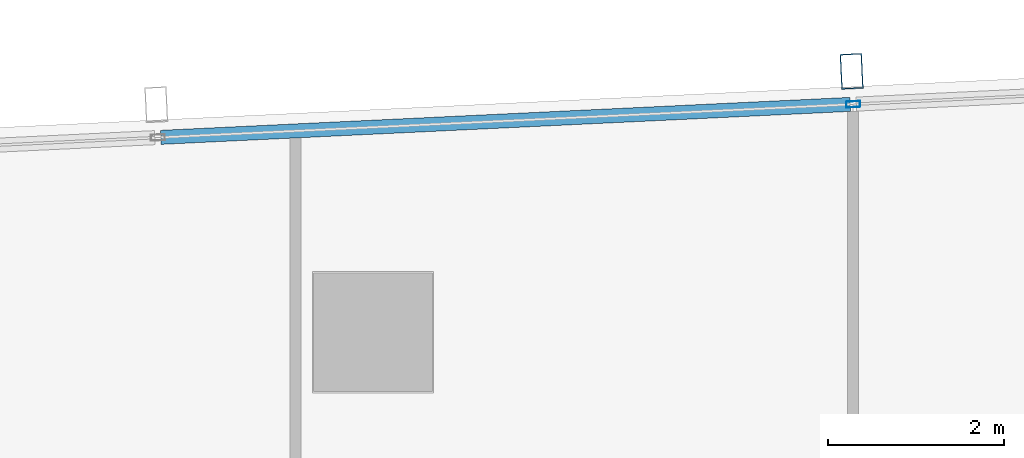
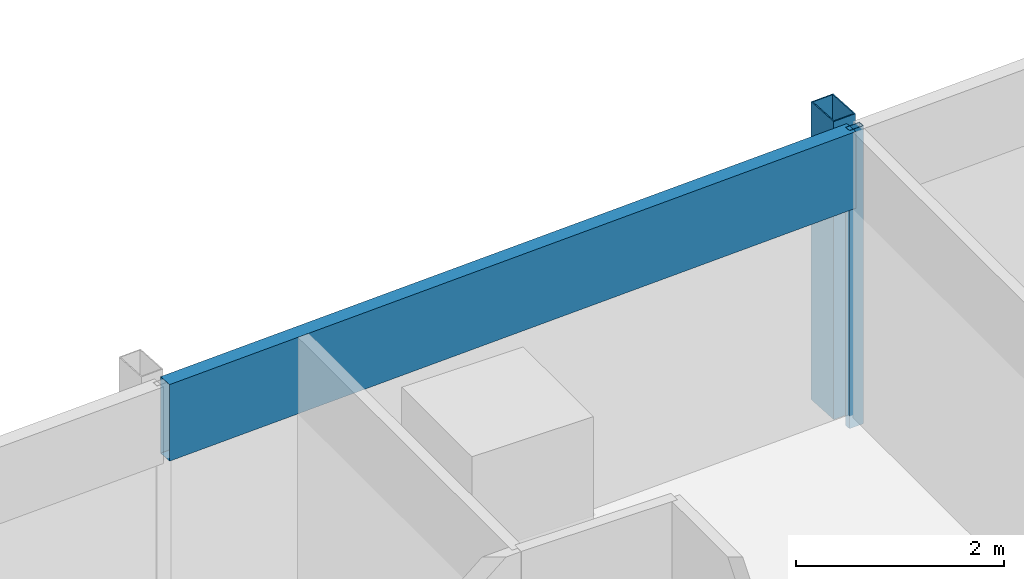
# One storey, part 19 of 38: 3 members, 1 element without a shape of its own.
"""IFC4 building model written with IfcOpenShell, lengths in metres."""

from ifc_helpers import new_model, si_unit, direction, frame, origin, origin_2d, place, context, subcontext, project, spatial, hollow_rectangle, extrude, material, material_profile, profile_set, type_object, element, aggregate, save


model = new_model("IFC4")

# Units and contexts
model_context = context("Model", 3, precision=1e-05, world=origin(), true_north=direction((0.0, 1.0)))
body_context = subcontext(model_context, "Body", "Model", "MODEL_VIEW")
ifc_project = project(units=[si_unit("LENGTHUNIT", "METRE"), si_unit("AREAUNIT", "SQUARE_METRE"), si_unit("VOLUMEUNIT", "CUBIC_METRE"), si_unit("PLANEANGLEUNIT", "RADIAN"), si_unit("MASSUNIT", "GRAM", prefix="KILO")], contexts=[model_context])

# Site, building, storey
site_placement = place(None, origin())
site = spatial("IfcSite", under=ifc_project, at=site_placement, CompositionType="ELEMENT")
building_placement = place(site_placement, origin())
building = spatial("IfcBuilding", under=site, at=building_placement, Name="Rekha Terrace Tower", CompositionType="ELEMENT")
storey_placement = place(building_placement, frame((0.0, 0.0, 198.949951171875)))
storey = spatial("IfcBuildingStorey", under=building, at=storey_placement, Name="L50", CompositionType="ELEMENT", Elevation=198.949951171875)

# Curtain wall, members
ifc_material_1 = material(Name="Aluminium framing", Category="aluminium")
curtain_wall_type = type_object("IfcCurtainWallType", Name="CW3 north unitised glazing", PredefinedType="USERDEFINED", material=ifc_material_1)
curtain_wall_placement = place(storey_placement, origin())
curtain_wall = element("IfcCurtainWall", 1, at=curtain_wall_placement, inside=storey, type_object=curtain_wall_type, Name="CW3 unitised curtain wall", ObjectType="UNITISED CURTAIN WALL", PredefinedType="USERDEFINED")
ifc_material_2 = material(Name="Steel S355 with fluorocarbon finish", Category="steel")
ifc_material_profile_1 = material_profile(ifc_material_2, hollow_rectangle(XDim=0.25, YDim=0.39990234375, WallThickness=0.012451171875, at=origin_2d()), Name="RHS400x250x12.5")
ifc_profile_set_1 = profile_set([ifc_material_profile_1], Name="Steel S355 with fluorocarbon finish")
member_type_1 = type_object("IfcMemberType", Name="BL1 facade blade RHS 400 x 250", PredefinedType="USERDEFINED", material=ifc_profile_set_1)
member_1_placement = place(storey_placement, frame((30.643310546875, 61.767578125, 0.0), z_axis=(0.0, 0.0, 1.0), x_axis=(-0.998858913274, -0.04775846913, 0.0)))
member_1 = element("IfcMember", 2, at=member_1_placement, type_object=member_type_1, Name="Facade blade", ObjectType="FACADE BLADE", PredefinedType="USERDEFINED", context=body_context, shape_type="SweptSolid", body=[
    extrude(hollow_rectangle(XDim=0.25, YDim=0.39990234375, WallThickness=0.012451171875, at=origin_2d()), origin(), (0.0, 0.0, 1.0), 3.5),
])
ifc_material_3 = material(Name="Aluminium mullion section", Category="aluminium")
ifc_material_profile_2 = material_profile(ifc_material_3, hollow_rectangle(XDim=0.070068359375, YDim=0.159912109375, WallThickness=0.00390625, at=origin_2d()), Name="AL RHS 70x160")
ifc_profile_set_2 = profile_set([ifc_material_profile_2], Name="Aluminium mullion section")
member_type_2 = type_object("IfcMemberType", Name="CW3 mullion RHS 70 x 160", PredefinedType="MULLION", material=ifc_profile_set_2)
member_2_placement = place(storey_placement, frame((30.6611328125, 61.39306640625, 0.0), z_axis=(0.0, 0.0, 1.0), x_axis=(0.047758616983, -0.998858906204, 0.0)))
member_2 = element("IfcMember", 3, at=member_2_placement, type_object=member_type_2, Name="CW3 mullion 3", PredefinedType="MULLION", context=body_context, shape_type="SweptSolid", body=[
    extrude(hollow_rectangle(XDim=0.070068359375, YDim=0.159912109375, WallThickness=0.00390625, at=origin_2d()), origin(), (0.0, 0.0, 1.0), 3.5),
])
ifc_material_4 = material(Name="Insulated aluminium spandrel box", Category="aluminium")
ifc_material_profile_3 = material_profile(ifc_material_4, hollow_rectangle(XDim=0.159912109375, YDim=0.89990234375, WallThickness=0.0029296875, at=origin_2d()), Name="AL SPANDREL BOX 160x900")
ifc_profile_set_3 = profile_set([ifc_material_profile_3], Name="Insulated aluminium spandrel box")
member_type_3 = type_object("IfcMemberType", Name="CW3 spandrel transom 160 x 900", PredefinedType="USERDEFINED", material=ifc_profile_set_3)
member_3_placement = place(storey_placement, frame((30.626220703125, 61.391357421875, 3.050048828125), z_axis=(-0.998859323292, -0.047749892907, 0.0), x_axis=(0.047749892907, -0.998859323292, 0.0)))
member_3 = element("IfcMember", 4, at=member_3_placement, type_object=member_type_3, Name="CW3 spandrel transom 3", ObjectType="TRANSOM", PredefinedType="USERDEFINED", context=body_context, shape_type="SweptSolid", body=[
    extrude(hollow_rectangle(XDim=0.159912109375, YDim=0.89990234375, WallThickness=0.0029296875, at=origin_2d()), origin(), (0.0, 0.0, 1.0), 7.848388671875),
])
aggregate(curtain_wall, [member_2, member_3, member_1])

save(model, "model.ifc")
